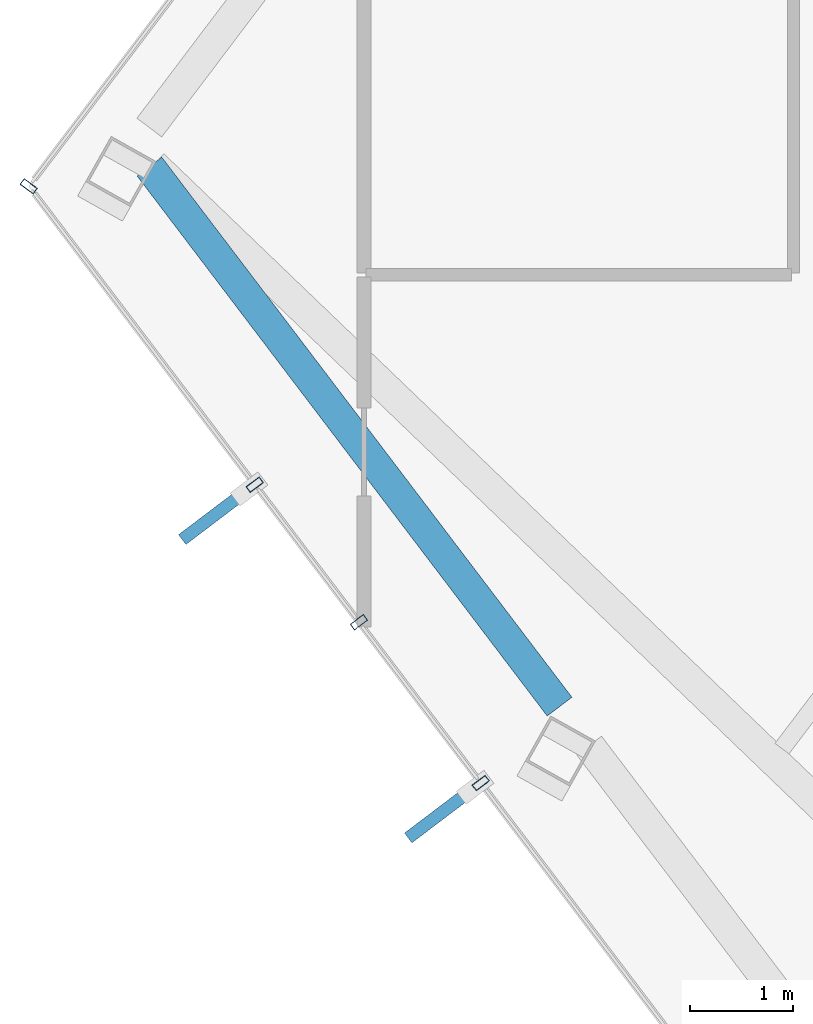
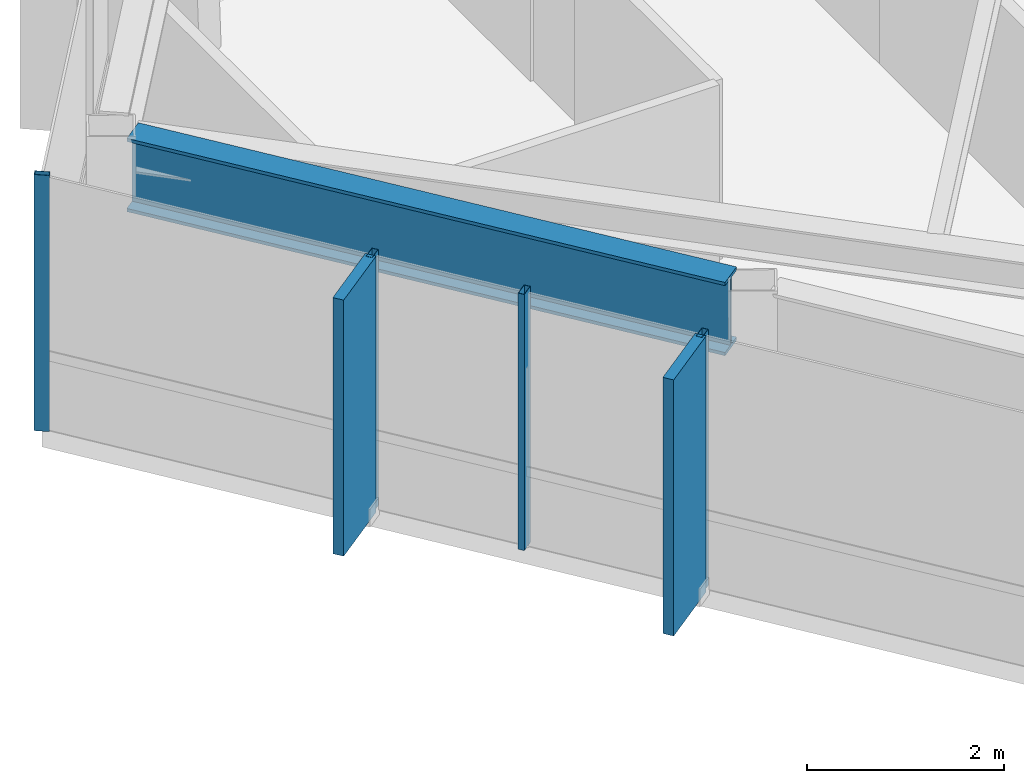
# One storey, part 9 of 26: 6 members, 1 beam, 2 elements without a shape of their own.
"""IFC4 building model written with IfcOpenShell, lengths in metres."""

from ifc_helpers import new_model, si_unit, direction, frame, origin, origin_2d, place, context, subcontext, project, spatial, rectangle, hollow_rectangle, i_section, extrude, material, layer, layer_set, material_profile, profile_set, type_object, element, aggregate, save


model = new_model("IFC4")

# Units and contexts
model_context = context("Model", 3, precision=1e-05, world=origin(), true_north=direction((0.0, 1.0)))
body_context = subcontext(model_context, "Body", "Model", "MODEL_VIEW")
ifc_project = project(units=[si_unit("LENGTHUNIT", "METRE"), si_unit("AREAUNIT", "SQUARE_METRE"), si_unit("VOLUMEUNIT", "CUBIC_METRE"), si_unit("PLANEANGLEUNIT", "RADIAN"), si_unit("MASSUNIT", "GRAM", prefix="KILO")], contexts=[model_context])

# Site, building, storey
site_placement = place(None, origin())
site = spatial("IfcSite", under=ifc_project, at=site_placement, CompositionType="ELEMENT")
building_placement = place(site_placement, origin())
building = spatial("IfcBuilding", under=site, at=building_placement, Name="Zarrinselat Tower", CompositionType="ELEMENT")
storey_placement = place(building_placement, frame((0.0, 0.0, 265.199951171875)))
storey = spatial("IfcBuildingStorey", under=building, at=storey_placement, Name="L67", CompositionType="ELEMENT", Elevation=265.199951171875)

# Beam
ifc_material_1 = material(Name="Steel S460M", Category="steel")
ifc_material_profile_1 = material_profile(ifc_material_1, i_section(OverallWidth=0.302001953125, OverallDepth=0.909912109375, WebThickness=0.02099609375, FlangeThickness=0.0400390625, at=origin_2d()), Name="HEM 900")
ifc_profile_set_1 = profile_set([ifc_material_profile_1], Name="Steel S460M")
beam_type = type_object("IfcBeamType", Name="BM-HEM900", PredefinedType="BEAM", material=ifc_profile_set_1)
beam_placement = place(storey_placement, frame((17.03466796875, 42.392578125, 2.72509765625), z_axis=(0.604794392137, -0.79638165677, 0.0), x_axis=(0.79638165677, 0.604794392137, 0.0)))
element("IfcBeam", 1, at=beam_placement, inside=storey, type_object=beam_type, Name="L67 Perimeter Spandrel Girder SP06", PredefinedType="BEAM", context=body_context, shape_type="SweptSolid", body=[
    extrude(i_section(OverallWidth=0.302001953125, OverallDepth=0.909912109375, WebThickness=0.02099609375, FlangeThickness=0.0400390625, at=origin_2d()), origin(), (0.0, 0.0, 1.0), 6.600830078125),
])

# Curtain wall, member
ifc_material_2 = material(Name="Extruded Aluminium Alloy EN AW-6063 T6", Category="aluminium")
ifc_layer = layer(ifc_material_2, 0.169921875)
ifc_layer_set = layer_set([ifc_layer], Name="Extruded Aluminium Alloy EN AW-6063 T6")
curtain_wall_type = type_object("IfcCurtainWallType", Name="CWS-RES", PredefinedType="NOTDEFINED", material=ifc_layer_set)
curtain_wall_1_placement = place(storey_placement, origin())
curtain_wall_1 = element("IfcCurtainWall", 2, at=curtain_wall_1_placement, inside=storey, type_object=curtain_wall_type, Name="L67 Unitised Curtain Wall CW-L67-E02", PredefinedType="NOTDEFINED")
ifc_material_3 = material(Name="Extruded Aluminium Alloy EN AW-6063 T6", Category="aluminium")
ifc_material_profile_2 = material_profile(ifc_material_3, hollow_rectangle(XDim=0.070068359375, YDim=0.159912109375, WallThickness=0.00390625, at=origin_2d()), Name="RHS 160x70x4")
ifc_profile_set_2 = profile_set([ifc_material_profile_2], Name="Extruded Aluminium Alloy EN AW-6063 T6")
member_type_1 = type_object("IfcMemberType", Name="MEM-CW-MUL2", PredefinedType="MULLION", material=ifc_profile_set_2)
member_1_placement = place(storey_placement, frame((15.860107421875, 42.199462890625, 0.0), z_axis=(0.0, 0.0, 1.0), x_axis=(-0.60385470922, -0.797094404793, 0.0)))
member_1 = element("IfcMember", 3, at=member_1_placement, type_object=member_type_1, Name="CW-L67-E02 Mullion 3", PredefinedType="MULLION", context=body_context, shape_type="SweptSolid", body=[
    extrude(hollow_rectangle(XDim=0.070068359375, YDim=0.159912109375, WallThickness=0.00390625, at=origin_2d()), origin(), (0.0, 0.0, 1.0), 3.179931640625),
])
aggregate(curtain_wall_1, [member_1])

# Curtain wall, members
curtain_wall_2_placement = place(storey_placement, origin())
curtain_wall_2 = element("IfcCurtainWall", 4, at=curtain_wall_2_placement, inside=storey, type_object=curtain_wall_type, Name="L67 Unitised Curtain Wall CW-L67-E03", PredefinedType="NOTDEFINED")
member_2_placement = place(storey_placement, frame((18.059814453125, 39.2958984375, 0.0), z_axis=(0.0, 0.0, 1.0), x_axis=(0.603858282603, -0.797091697694, 0.0)))
member_2 = element("IfcMember", 5, at=member_2_placement, type_object=member_type_1, Name="CW-L67-E03 Mullion 1", PredefinedType="MULLION", context=body_context, shape_type="SweptSolid", body=[
    extrude(hollow_rectangle(XDim=0.070068359375, YDim=0.159912109375, WallThickness=0.00390625, at=origin_2d()), origin(), (0.0, 0.0, 1.0), 3.179931640625),
])
member_3_placement = place(storey_placement, frame((19.07373046875, 37.957275390625, 0.0), z_axis=(0.0, 0.0, 1.0), x_axis=(0.603858282603, -0.797091697694, 0.0)))
member_3 = element("IfcMember", 6, at=member_3_placement, type_object=member_type_1, Name="CW-L67-E03 Mullion 2", PredefinedType="MULLION", context=body_context, shape_type="SweptSolid", body=[
    extrude(hollow_rectangle(XDim=0.070068359375, YDim=0.159912109375, WallThickness=0.00390625, at=origin_2d()), origin(), (0.0, 0.0, 1.0), 3.179931640625),
])
member_4_placement = place(storey_placement, frame((20.25927734375, 36.392333984375, 0.0), z_axis=(0.0, 0.0, 1.0), x_axis=(0.603858282603, -0.797091697694, 0.0)))
member_4 = element("IfcMember", 7, at=member_4_placement, type_object=member_type_1, Name="CW-L67-E03 Mullion 3", PredefinedType="MULLION", context=body_context, shape_type="SweptSolid", body=[
    extrude(hollow_rectangle(XDim=0.070068359375, YDim=0.159912109375, WallThickness=0.00390625, at=origin_2d()), origin(), (0.0, 0.0, 1.0), 3.179931640625),
])
ifc_material_4 = material(Name="Honed Cream Travertine Stone", Category="masonry")
ifc_material_profile_3 = material_profile(ifc_material_4, rectangle(XDim=0.1201171875, YDim=0.85009765625, at=origin_2d()), Name="FIN 850x120")
ifc_profile_set_3 = profile_set([ifc_material_profile_3], Name="Honed Cream Travertine Stone")
member_type_2 = type_object("IfcMemberType", Name="MEM-STONE-FIN", PredefinedType="USERDEFINED", material=ifc_profile_set_3)
member_5_placement = place(storey_placement, frame((17.693115234375, 39.01806640625, 0.0), z_axis=(0.0, 0.0, 1.0), x_axis=(-0.603858282603, 0.797091697694, 0.0)))
member_5 = element("IfcMember", 8, at=member_5_placement, type_object=member_type_2, Name="L67 Stone Shading Fin CW-L67-E03-01", ObjectType="FIN", PredefinedType="USERDEFINED", context=body_context, shape_type="SweptSolid", body=[
    extrude(rectangle(XDim=0.1201171875, YDim=0.85009765625, at=origin_2d()), origin(), (0.0, 0.0, 1.0), 3.179931640625),
])
member_6_placement = place(storey_placement, frame((19.892578125, 36.114501953125, 0.0), z_axis=(0.0, 0.0, 1.0), x_axis=(-0.603858282603, 0.797091697694, 0.0)))
member_6 = element("IfcMember", 9, at=member_6_placement, type_object=member_type_2, Name="L67 Stone Shading Fin CW-L67-E03-03", ObjectType="FIN", PredefinedType="USERDEFINED", context=body_context, shape_type="SweptSolid", body=[
    extrude(rectangle(XDim=0.1201171875, YDim=0.85009765625, at=origin_2d()), origin(), (0.0, 0.0, 1.0), 3.179931640625),
])
aggregate(curtain_wall_2, [member_2, member_5, member_3, member_4, member_6])

save(model, "model.ifc")
